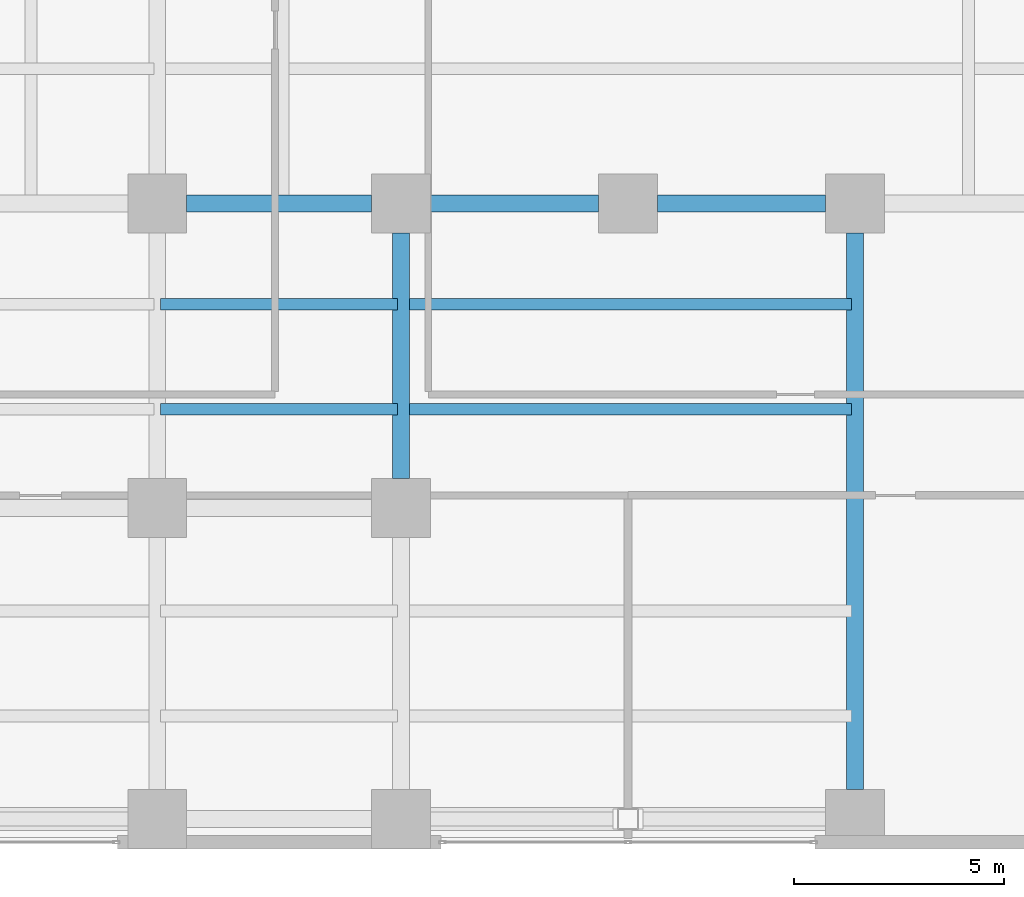
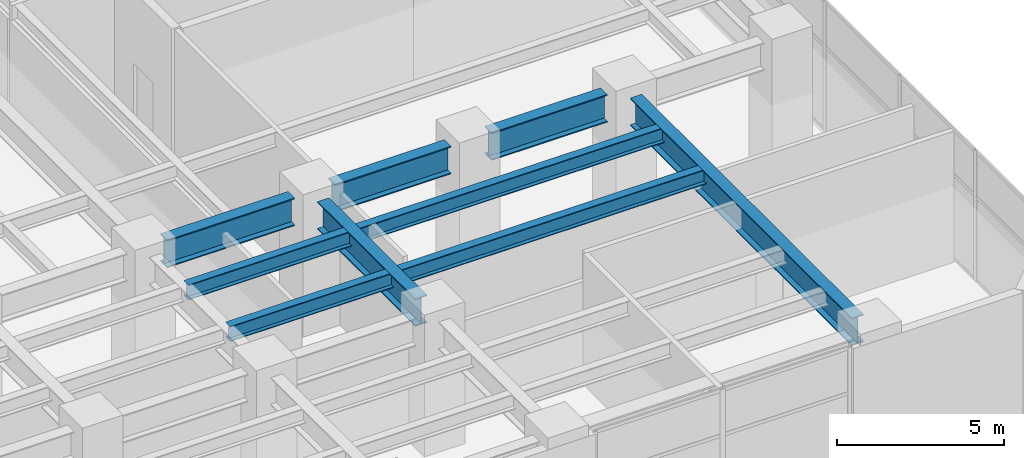
# One storey, part 8 of 29: 9 beams.
"""IFC4 building model written with IfcOpenShell, lengths in metres."""

from ifc_helpers import new_model, si_unit, direction, frame, origin, origin_2d, place, context, subcontext, project, spatial, i_section, extrude, material, material_profile, profile_set, type_object, element, save


model = new_model("IFC4")

# Units and contexts
model_context = context("Model", 3, precision=1e-05, world=origin(), true_north=direction((0.0, 1.0)))
body_context = subcontext(model_context, "Body", "Model", "MODEL_VIEW")
ifc_project = project(units=[si_unit("LENGTHUNIT", "METRE"), si_unit("AREAUNIT", "SQUARE_METRE"), si_unit("VOLUMEUNIT", "CUBIC_METRE"), si_unit("PLANEANGLEUNIT", "RADIAN"), si_unit("MASSUNIT", "GRAM", prefix="KILO")], contexts=[model_context])

# Site, building, storey
site_placement = place(None, origin())
site = spatial("IfcSite", under=ifc_project, at=site_placement, CompositionType="ELEMENT")
building_placement = place(site_placement, origin())
building = spatial("IfcBuilding", under=site, at=building_placement, Name="Mawjaban Terraces University", CompositionType="ELEMENT")
storey_placement = place(building_placement, frame((0.0, 0.0, 20.800048828125)))
storey = spatial("IfcBuildingStorey", under=building, at=storey_placement, Name="L04", CompositionType="ELEMENT", Elevation=20.800048828125)

# Beams
ifc_material_1 = material(Name="Steel ASTM A913 Grade 65", Category="steel")
ifc_material_profile_1 = material_profile(ifc_material_1, i_section(OverallWidth=0.402099609375, OverallDepth=1.011962890625, WebThickness=0.02392578125, FlangeThickness=0.0400390625, at=origin_2d()), Name="W1000X443")
ifc_profile_set_1 = profile_set([ifc_material_profile_1], Name="Steel ASTM A913 Grade 65")
beam_type_1 = type_object("IfcBeamType", Name="Beam_B_W1000X443", PredefinedType="BEAM", material=ifc_profile_set_1)
beam_1_placement = place(storey_placement, frame((52.699951171875, 15.199951171875, 4.27392578125), z_axis=(1.0, 0.0, 0.0), x_axis=(0.0, 1.0, 0.0)))
element("IfcBeam", 1, at=beam_1_placement, inside=storey, type_object=beam_type_1, Name="L04 Beam BM-L04-EW-08", PredefinedType="BEAM", context=body_context, shape_type="SweptSolid", body=[
    extrude(i_section(OverallWidth=0.402099609375, OverallDepth=1.011962890625, WebThickness=0.02392578125, FlangeThickness=0.0400390625, at=origin_2d()), origin(), (0.0, 0.0, 1.0), 4.400146484375),
])
for number, where, z_axis, x_axis, name in (
    (2, (58.5, 15.199951171875, 4.27392578125), (1.0, 0.0, 0.0), (0.0, 1.0, 0.0), "L04 Beam BM-L04-EW-09"),
    (3, (63.89990234375, 15.199951171875, 4.27392578125), (1.0, 0.0, 0.0), (0.0, 1.0, 0.0), "L04 Beam BM-L04-EW-10"),
):
    element("IfcBeam", number, at=place(storey_placement, frame(where, z_axis=z_axis, x_axis=x_axis)), inside=storey, type_object=beam_type_1, Name=name, PredefinedType="BEAM", context=body_context, shape_type="SweptSolid", body=[
        extrude(i_section(OverallWidth=0.402099609375, OverallDepth=1.011962890625, WebThickness=0.02392578125, FlangeThickness=0.0400390625, at=origin_2d()), origin(), (0.0, 0.0, 1.0), 4.0),
    ])
beam_2_placement = place(storey_placement, frame((57.800048828125, 8.64990234375, 4.27392578125), z_axis=(0.0, 1.0, 0.0), x_axis=(-1.0, 0.0, 0.0)))
element("IfcBeam", 4, at=beam_2_placement, inside=storey, type_object=beam_type_1, Name="L04 Beam BM-L04-NS-18", PredefinedType="BEAM", context=body_context, shape_type="SweptSolid", body=[
    extrude(i_section(OverallWidth=0.402099609375, OverallDepth=1.011962890625, WebThickness=0.02392578125, FlangeThickness=0.0400390625, at=origin_2d()), origin(), (0.0, 0.0, 1.0), 5.85009765625),
])
beam_3_placement = place(storey_placement, frame((68.60009765625, 1.25, 4.27392578125), z_axis=(0.0, 1.0, 0.0), x_axis=(-1.0, 0.0, 0.0)))
element("IfcBeam", 5, at=beam_3_placement, inside=storey, type_object=beam_type_1, Name="L04 Beam BM-L04-NS-19", PredefinedType="BEAM", context=body_context, shape_type="SweptSolid", body=[
    extrude(i_section(OverallWidth=0.402099609375, OverallDepth=1.011962890625, WebThickness=0.02392578125, FlangeThickness=0.0400390625, at=origin_2d()), origin(), (0.0, 0.0, 1.0), 13.25),
])
ifc_material_2 = material(Name="Steel ASTM A572 Grade 50", Category="steel")
ifc_material_profile_2 = material_profile(ifc_material_2, i_section(OverallWidth=0.281005859375, OverallDepth=0.551025390625, WebThickness=0.01513671875, FlangeThickness=0.02587890625, at=origin_2d()), Name="W530X182")
ifc_profile_set_2 = profile_set([ifc_material_profile_2], Name="Steel ASTM A572 Grade 50")
beam_type_2 = type_object("IfcBeamType", Name="Beam_J_W530X182", PredefinedType="JOIST", material=ifc_profile_set_2)
beam_4_placement = place(storey_placement, frame((52.080078125, 10.300048828125, 4.50390625), z_axis=(1.0, 0.0, 0.0), x_axis=(0.0, 1.0, 0.0)))
element("IfcBeam", 6, at=beam_4_placement, inside=storey, type_object=beam_type_2, Name="L04 Composite Joist JST-L04-09", PredefinedType="JOIST", context=body_context, shape_type="SweptSolid", body=[
    extrude(i_section(OverallWidth=0.281005859375, OverallDepth=0.551025390625, WebThickness=0.01513671875, FlangeThickness=0.02587890625, at=origin_2d()), origin(), (0.0, 0.0, 1.0), 5.639892578125),
])
beam_5_placement = place(storey_placement, frame((57.8798828125, 10.300048828125, 4.50390625), z_axis=(1.0, 0.0, 0.0), x_axis=(0.0, 1.0, 0.0)))
element("IfcBeam", 7, at=beam_5_placement, inside=storey, type_object=beam_type_2, Name="L04 Composite Joist JST-L04-10", PredefinedType="JOIST", context=body_context, shape_type="SweptSolid", body=[
    extrude(i_section(OverallWidth=0.281005859375, OverallDepth=0.551025390625, WebThickness=0.01513671875, FlangeThickness=0.02587890625, at=origin_2d()), origin(), (0.0, 0.0, 1.0), 10.64013671875),
])
beam_6_placement = place(storey_placement, frame((52.080078125, 12.800048828125, 4.50390625), z_axis=(1.0, 0.0, 0.0), x_axis=(0.0, 1.0, 0.0)))
element("IfcBeam", 8, at=beam_6_placement, inside=storey, type_object=beam_type_2, Name="L04 Composite Joist JST-L04-13", PredefinedType="JOIST", context=body_context, shape_type="SweptSolid", body=[
    extrude(i_section(OverallWidth=0.281005859375, OverallDepth=0.551025390625, WebThickness=0.01513671875, FlangeThickness=0.02587890625, at=origin_2d()), origin(), (0.0, 0.0, 1.0), 5.639892578125),
])
beam_7_placement = place(storey_placement, frame((57.8798828125, 12.800048828125, 4.50390625), z_axis=(1.0, 0.0, 0.0), x_axis=(0.0, 1.0, 0.0)))
element("IfcBeam", 9, at=beam_7_placement, inside=storey, type_object=beam_type_2, Name="L04 Composite Joist JST-L04-14", PredefinedType="JOIST", context=body_context, shape_type="SweptSolid", body=[
    extrude(i_section(OverallWidth=0.281005859375, OverallDepth=0.551025390625, WebThickness=0.01513671875, FlangeThickness=0.02587890625, at=origin_2d()), origin(), (0.0, 0.0, 1.0), 10.64013671875),
])

save(model, "model.ifc")
